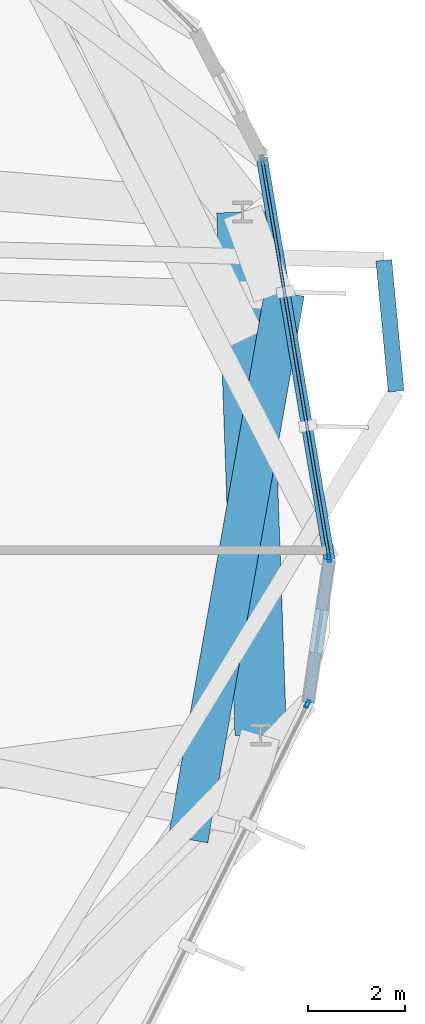
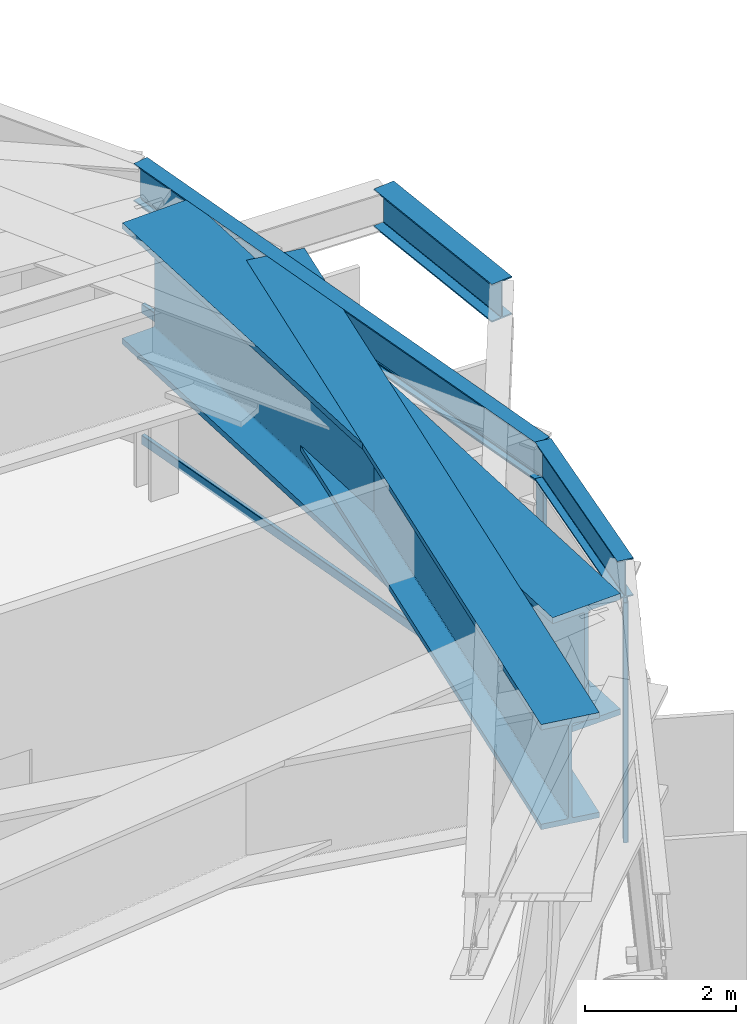
# One storey, part 14 of 27: 5 beams, 5 members, 2 elements without a shape of their own.
"""IFC4 building model written with IfcOpenShell, lengths in metres."""

import ifcopenshell
import ifcopenshell.guid

model = None  # the IFC model being written
_history = None  # IfcOwnerHistory: only IFC2X3 demands one
_inside = {}  # id of a spatial element -> (the spatial element, [elements in it])
_under = {}  # id of a project, library or spatial element -> (it, [spatial elements below it])
_declared = {}  # id of a project -> (the project, [libraries it declares])
_typed = {}  # id of a type object -> (the type object, [elements of that type])
_made_of = {}  # id of a material, layer set ... -> (it, [elements and type objects made of it])


def new_model(schema):
    """Start an empty IFC model of exactly this schema.

    Asked for "IFC4X3", IfcOpenShell would pick the latest addendum, in which some entities
    have other attributes; the version numbers below select the first issue.
    IFC2X3 requires an IfcOwnerHistory on every rooted entity: one is made here for all.
    """
    global model, _history
    if schema == "IFC4X3":
        model = ifcopenshell.file(schema_version=(4, 3, 0, 0))
    else:
        model = ifcopenshell.file(schema=schema)
    _inside.clear()
    _under.clear()
    _declared.clear()
    _typed.clear()
    _made_of.clear()
    _history = None
    if model.schema == "IFC2X3":
        org = make("IfcOrganization", Name="unknown")
        user = make(
            "IfcPersonAndOrganization",
            ThePerson=make("IfcPerson", FamilyName="unknown"),
            TheOrganization=org,
        )
        app = make(
            "IfcApplication",
            ApplicationDeveloper=org,
            Version="unknown",
            ApplicationFullName="unknown",
            ApplicationIdentifier="unknown",
        )
        _history = make(
            "IfcOwnerHistory",
            OwningUser=user,
            OwningApplication=app,
            ChangeAction="ADDED",
            CreationDate=0,
        )
    return model


def make(cls, **values):
    """One entity of the class cls with the attributes given. An attribute that is None is left unset."""
    return model.create_entity(
        cls, **{name: value for name, value in values.items() if value is not None}
    )


def rooted(cls, **values):
    """An entity with a GlobalId (a new one), such as an element, a storey or a relation."""
    return make(cls, GlobalId=ifcopenshell.guid.new(), OwnerHistory=_history, **values)


def si_unit(unit_type, name, prefix=None):
    """IfcSIUnit, for example si_unit("LENGTHUNIT", "METRE", prefix="MILLI")."""
    return make("IfcSIUnit", UnitType=unit_type, Prefix=prefix, Name=name)


def assignment(units):
    """IfcUnitAssignment: the units of a project."""
    return None if units is None else make("IfcUnitAssignment", Units=units)


def point(xyz):
    """IfcCartesianPoint."""
    return None if xyz is None else make("IfcCartesianPoint", Coordinates=xyz)


def direction(xyz):
    """IfcDirection."""
    return None if xyz is None else make("IfcDirection", DirectionRatios=xyz)


def frame(location, z_axis=None, x_axis=None):
    """IfcAxis2Placement3D, a coordinate frame: its origin and axes. An axis left out is left unset."""
    return make(
        "IfcAxis2Placement3D",
        Location=point(location),
        Axis=direction(z_axis),
        RefDirection=direction(x_axis),
    )


def frame_2d(location, x_axis=None):
    """IfcAxis2Placement2D, a coordinate frame in the plane: its origin and x axis."""
    return make(
        "IfcAxis2Placement2D", Location=point(location), RefDirection=direction(x_axis)
    )


def origin():
    """The frame at (0, 0, 0) with its axes left unset."""
    return frame((0.0, 0.0, 0.0))


def origin_2d():
    """The frame at (0, 0) in the plane with its x axis left unset."""
    return frame_2d((0.0, 0.0))


def place(relative_to, where):
    """IfcLocalPlacement: puts the frame where relative to a parent placement (None: the world)."""
    return make(
        "IfcLocalPlacement", PlacementRelTo=relative_to, RelativePlacement=where
    )


def context(
    kind, dimensions, precision=None, world=None, true_north=None, identifier=None
):
    """IfcGeometricRepresentationContext, for example the 3D "Model" context."""
    return make(
        "IfcGeometricRepresentationContext",
        ContextIdentifier=identifier,
        ContextType=kind,
        CoordinateSpaceDimension=dimensions,
        Precision=precision,
        WorldCoordinateSystem=world,
        TrueNorth=true_north,
    )


def subcontext(parent, identifier, kind, view, scale=None):
    """IfcGeometricRepresentationSubContext, for example "Body" below "Model"."""
    return make(
        "IfcGeometricRepresentationSubContext",
        ContextIdentifier=identifier,
        ContextType=kind,
        ParentContext=parent,
        TargetScale=scale,
        TargetView=view,
    )


def project(units=None, contexts=None):
    """IfcProject with its units and contexts."""
    return rooted(
        "IfcProject",
        Name="project",
        RepresentationContexts=contexts,
        UnitsInContext=assignment(units),
    )


def spatial(cls, under=None, at=None, **own):
    """A site, building, storey or space (cls), placed at a placement, below another one or the project."""
    s = rooted(cls, ObjectPlacement=at, **own)
    if under is not None:
        _under.setdefault(under.id(), (under, []))[1].append(s)
    return s


def profile(cls, at=None, kind="AREA", **sizes):
    """A parametric profile (cls). Its sizes go by their IFC names, for example OverallWidth=200.0."""
    return make(cls, ProfileType=kind, Position=at, **sizes)


def hollow_rectangle(**sizes):
    """IfcRectangleHollowProfileDef."""
    return profile("IfcRectangleHollowProfileDef", **sizes)


def i_section(**sizes):
    """IfcIShapeProfileDef."""
    return profile("IfcIShapeProfileDef", **sizes)


def extrude(swept, where, along, depth):
    """IfcExtrudedAreaSolid: the profile swept, set in the frame where, extruded along a direction by depth."""
    return make(
        "IfcExtrudedAreaSolid",
        SweptArea=swept,
        Position=where,
        ExtrudedDirection=direction(along),
        Depth=depth,
    )


def shape(context_of_items, identifier, shape_type, items):
    """IfcShapeRepresentation: the items that make up one representation, for example the "Body"."""
    return make(
        "IfcShapeRepresentation",
        ContextOfItems=context_of_items,
        RepresentationIdentifier=identifier,
        RepresentationType=shape_type,
        Items=items,
    )


def material(Name=None, Category=None):
    """IfcMaterial."""
    return make("IfcMaterial", Name=Name, Category=Category)


def layer(
    of_material, thickness, ventilated=None, Name=None, Category=None, Priority=None
):
    """IfcMaterialLayer: one layer of a wall or slab, of a material (None: an air gap)."""
    return make(
        "IfcMaterialLayer",
        Material=of_material,
        LayerThickness=thickness,
        IsVentilated=ventilated,
        Name=Name,
        Category=Category,
        Priority=Priority,
    )


def layer_set(layers, Name=None):
    """IfcMaterialLayerSet."""
    return make("IfcMaterialLayerSet", MaterialLayers=layers, LayerSetName=Name)


def material_profile(
    of_material, cross_section, Name=None, Category=None, Priority=None
):
    """IfcMaterialProfile: a cross section and its material."""
    return make(
        "IfcMaterialProfile",
        Name=Name,
        Material=of_material,
        Profile=cross_section,
        Priority=Priority,
        Category=Category,
    )


def profile_set(profiles, Name=None, composite=None):
    """IfcMaterialProfileSet."""
    return make(
        "IfcMaterialProfileSet",
        Name=Name,
        MaterialProfiles=profiles,
        CompositeProfile=composite,
    )


def made_of(thing, what):
    """Note that an element or type object is made of a material, layer set ...; save() writes the relation."""
    if what is not None:
        _made_of.setdefault(what.id(), (what, []))[1].append(thing)
    return thing


def type_object(cls, material=None, **own):
    """A type object (cls), such as IfcWallType, which elements share."""
    return made_of(rooted(cls, **own), material)


def element(
    cls,
    number,
    at=None,
    inside=None,
    cuts=None,
    type_object=None,
    material=None,
    context=None,
    identifier="Body",
    shape_type=None,
    held_by="IfcProductDefinitionShape",
    body=None,
    shapes=None,
    **own,
):
    """One element of the class cls, such as IfcWall. Its Tag is "e" and its number.

    at: its placement. inside: the storey or other place that contains it. cuts: it is an
    opening in that element (IfcRelVoidsElement). A single representation is given by context,
    identifier, shape_type and body (its items); several are given by shapes. held_by: the class
    of the entity that holds the representations. save() writes the other relations.
    """
    e = rooted(cls, Tag="e%d" % number, ObjectPlacement=at, **own)
    if body is not None:
        shapes = [shape(context, identifier, shape_type, body)]
    if shapes is not None:
        e.Representation = make(held_by, Representations=shapes)
    if inside is not None:
        _inside.setdefault(inside.id(), (inside, []))[1].append(e)
    if cuts is not None:
        rooted(
            "IfcRelVoidsElement", RelatingBuildingElement=cuts, RelatedOpeningElement=e
        )
    if type_object is not None:
        _typed.setdefault(type_object.id(), (type_object, []))[1].append(e)
    return made_of(e, material)


def aggregate(whole, parts):
    """IfcRelAggregates: a whole, such as a stair, and the parts it consists of."""
    return rooted("IfcRelAggregates", RelatingObject=whole, RelatedObjects=parts)


def save(model, path):
    """Write the relations noted so far, then the file.

    IfcRelAggregates (storeys below a building ...), IfcRelContainedInSpatialStructure (elements
    in a storey), IfcRelDefinesByType, IfcRelAssociatesMaterial and IfcRelDeclares: one each for
    every whole, place, type object, material and project.
    """
    for whole, parts in _under.values():
        aggregate(whole, parts)
    for where, things in _inside.values():
        rooted(
            "IfcRelContainedInSpatialStructure",
            RelatedElements=things,
            RelatingStructure=where,
        )
    for kind, things in _typed.values():
        rooted("IfcRelDefinesByType", RelatedObjects=things, RelatingType=kind)
    for what, things in _made_of.values():
        rooted("IfcRelAssociatesMaterial", RelatedObjects=things, RelatingMaterial=what)
    for by, libraries in _declared.values():
        rooted("IfcRelDeclares", RelatingContext=by, RelatedDefinitions=libraries)
    model.write(path)


model = new_model("IFC4")

# Units and contexts
model_context = context("Model", 3, precision=1e-05, world=origin(), true_north=direction((0.0, 1.0)))
body_context = subcontext(model_context, "Body", "Model", "MODEL_VIEW")
ifc_project = project(units=[si_unit("LENGTHUNIT", "METRE"), si_unit("AREAUNIT", "SQUARE_METRE"), si_unit("VOLUMEUNIT", "CUBIC_METRE"), si_unit("PLANEANGLEUNIT", "RADIAN"), si_unit("MASSUNIT", "GRAM", prefix="KILO")], contexts=[model_context])

# Site, building, storey
site_placement = place(None, origin())
site = spatial("IfcSite", under=ifc_project, at=site_placement, CompositionType="ELEMENT")
building_placement = place(site_placement, origin())
building = spatial("IfcBuilding", under=site, at=building_placement, Name="Soratama Intermodal Tower", CompositionType="ELEMENT")
storey_placement = place(building_placement, frame((0.0, 0.0, 134.199951171875)))
storey = spatial("IfcBuildingStorey", under=building, at=storey_placement, Name="L32", CompositionType="ELEMENT", Elevation=134.199951171875)

# Beams
ifc_material_1 = material(Name="Structural steel ASTM A992 Grade 50", Category="steel")
ifc_material_profile_1 = material_profile(ifc_material_1, i_section(OverallWidth=0.324951171875, OverallDepth=0.615966796875, WebThickness=0.013916015625, FlangeThickness=0.021484375, FilletRadius=0.013916015625, at=origin_2d()), Name="W24X117")
ifc_profile_set_1 = profile_set([ifc_material_profile_1], Name="Structural steel ASTM A992 Grade 50")
beam_type_1 = type_object("IfcBeamType", Name="BM-CANT-W24X117", PredefinedType="BEAM", material=ifc_profile_set_1)
beam_1_placement = place(storey_placement, frame((64.510009765625, 27.26806640625, 4.192138671875), z_axis=(-0.093581351422, 0.995611636466, 0.0), x_axis=(-0.995611636466, -0.093581351422, 0.0)))
element("IfcBeam", 1, at=beam_1_placement, inside=storey, type_object=beam_type_1, Name="BM-L32-CBHDR-1", PredefinedType="BEAM", context=body_context, shape_type="SweptSolid", body=[
    extrude(i_section(OverallWidth=0.324951171875, OverallDepth=0.615966796875, WebThickness=0.013916015625, FlangeThickness=0.021484375, FilletRadius=0.013916015625, at=origin_2d()), origin(), (0.0, 0.0, 1.0), 2.702880859375),
])
ifc_material_2 = material(Name="Structural steel ASTM A992 Grade 50", Category="steel")
ifc_material_profile_2 = material_profile(ifc_material_2, i_section(OverallWidth=0.22900390625, OverallDepth=0.612060546875, WebThickness=0.011962890625, FlangeThickness=0.01953125, FilletRadius=0.012939453125, at=origin_2d()), Name="W24X84")
ifc_profile_set_2 = profile_set([ifc_material_profile_2], Name="Structural steel ASTM A992 Grade 50")
beam_type_2 = type_object("IfcBeamType", Name="BM-SPN-W24X84", PredefinedType="SPANDREL", material=ifc_profile_set_2)
beam_2_placement = place(storey_placement, frame((62.702880859375, 20.866943359375, 4.194091796875), z_axis=(0.146948221245, 0.989144185785, 0.0), x_axis=(-0.989144185785, 0.146948221245, 0.0)))
element("IfcBeam", 2, at=beam_2_placement, inside=storey, type_object=beam_type_2, Name="BS-L32-CRN09", PredefinedType="SPANDREL", context=body_context, shape_type="SweptSolid", body=[
    extrude(i_section(OverallWidth=0.22900390625, OverallDepth=0.612060546875, WebThickness=0.011962890625, FlangeThickness=0.01953125, FilletRadius=0.012939453125, at=origin_2d()), origin(), (0.0, 0.0, 1.0), 2.96728515625),
])
beam_3_placement = place(storey_placement, frame((63.138916015625, 23.802001953125, 4.194091796875), z_axis=(-0.165708153136, 0.986174836418, 0.0), x_axis=(-0.986174836418, -0.165708153136, 0.0)))
element("IfcBeam", 3, at=beam_3_placement, inside=storey, type_object=beam_type_2, Name="BS-L32-F10", PredefinedType="SPANDREL", context=body_context, shape_type="SweptSolid", body=[
    extrude(i_section(OverallWidth=0.22900390625, OverallDepth=0.612060546875, WebThickness=0.011962890625, FlangeThickness=0.01953125, FilletRadius=0.012939453125, at=origin_2d()), origin(), (0.0, 0.0, 1.0), 8.375732421875),
])
ifc_material_3 = material(Name="Structural steel ASTM A992 Grade 50", Category="steel")
ifc_material_profile_3 = material_profile(ifc_material_3, i_section(OverallWidth=0.820068359375, OverallDepth=1.699951171875, WebThickness=0.053955078125, FlangeThickness=0.087890625, FilletRadius=0.02392578125, at=origin_2d()), Name="PG1580X800")
ifc_profile_set_3 = profile_set([ifc_material_profile_3], Name="Structural steel ASTM A992 Grade 50")
beam_type_3 = type_object("IfcBeamType", Name="BM-ZSTEP-PG1580", PredefinedType="BEAM", material=ifc_profile_set_3)
beam_4_placement = place(storey_placement, frame((60.235107421875, 18.054931640625, 3.650146484375), z_axis=(0.173596153217, 0.98481692491, 0.0), x_axis=(-0.98481692491, 0.173596153217, 0.0)))
element("IfcBeam", 4, at=beam_4_placement, inside=storey, type_object=beam_type_3, Name="BM-L32-ZCHORD-01", PredefinedType="BEAM", context=body_context, shape_type="SweptSolid", body=[
    extrude(i_section(OverallWidth=0.820068359375, OverallDepth=1.699951171875, WebThickness=0.053955078125, FlangeThickness=0.087890625, FilletRadius=0.02392578125, at=origin_2d()), origin(), (0.0, 0.0, 1.0), 11.411376953125),
])
ifc_material_4 = material(Name="Structural steel ASTM A992 Grade 50", Category="steel")
ifc_material_profile_4 = material_profile(ifc_material_4, i_section(OverallWidth=1.06005859375, OverallDepth=1.9599609375, WebThickness=0.05810546875, FlangeThickness=0.095947265625, FilletRadius=0.02392578125, at=origin_2d()), Name="PG2400X900")
ifc_profile_set_4 = profile_set([ifc_material_profile_4], Name="Structural steel ASTM A992 Grade 50")
beam_type_4 = type_object("IfcBeamType", Name="BM-ZSTEP-PG2400", PredefinedType="BEAM", material=ifc_profile_set_4)
beam_5_placement = place(storey_placement, frame((61.72607421875, 20.2041015625, 3.52001953125), z_axis=(-0.034872799059, 0.999391758964, 0.0), x_axis=(-0.999391758964, -0.034872799059, 0.0)))
element("IfcBeam", 5, at=beam_5_placement, inside=storey, type_object=beam_type_4, Name="BM-L32-RING-10", PredefinedType="BEAM", context=body_context, shape_type="SweptSolid", body=[
    extrude(i_section(OverallWidth=1.06005859375, OverallDepth=1.9599609375, WebThickness=0.05810546875, FlangeThickness=0.095947265625, FilletRadius=0.02392578125, at=origin_2d()), origin(), (0.0, 0.0, 1.0), 10.75341796875),
])

# Curtain wall, member
ifc_material_5 = material(Name="Double-glazed aluminium curtain wall", Category="aluminium")
ifc_layer = layer(ifc_material_5, 0.159912109375)
ifc_layer_set = layer_set([ifc_layer], Name="Double-glazed aluminium curtain wall")
curtain_wall_type = type_object("IfcCurtainWallType", Name="CW-SYS-3", PredefinedType="NOTDEFINED", material=ifc_layer_set)
curtain_wall_1_placement = place(storey_placement, origin())
curtain_wall_1 = element("IfcCurtainWall", 6, at=curtain_wall_1_placement, inside=storey, type_object=curtain_wall_type, Name="L32 Faceted Curtain Wall F09", PredefinedType="NOTDEFINED")
ifc_material_6 = material(Name="Anodised aluminium AA 6063-T6", Category="aluminium")
ifc_material_profile_5 = material_profile(ifc_material_6, hollow_rectangle(XDim=0.070068359375, YDim=0.159912109375, WallThickness=0.0048828125, InnerFilletRadius=0.0048828125, OuterFilletRadius=0.010009765625, at=origin_2d()), Name="CWM160X70X5")
ifc_profile_set_5 = profile_set([ifc_material_profile_5], Name="Anodised aluminium AA 6063-T6")
member_type_1 = type_object("IfcMemberType", Name="MT-CWM-3", PredefinedType="MULLION", material=ifc_profile_set_5)
member_1_placement = place(storey_placement, frame((62.689453125, 20.840576171875, 0.0), z_axis=(0.0, 0.0, 1.0), x_axis=(-0.895247053814, 0.445570098456, 0.0)))
member_1 = element("IfcMember", 7, at=member_1_placement, type_object=member_type_1, Name="CW-3 mullion 2", PredefinedType="MULLION", context=body_context, shape_type="SweptSolid", body=[
    extrude(hollow_rectangle(XDim=0.070068359375, YDim=0.159912109375, WallThickness=0.0048828125, InnerFilletRadius=0.0048828125, OuterFilletRadius=0.010009765625, at=origin_2d()), origin(), (0.0, 0.0, 1.0), 3.879150390625),
])
aggregate(curtain_wall_1, [member_1])

# Curtain wall, members
curtain_wall_2_placement = place(storey_placement, origin())
curtain_wall_2 = element("IfcCurtainWall", 8, at=curtain_wall_2_placement, inside=storey, type_object=curtain_wall_type, Name="L32 Faceted Curtain Wall F10", PredefinedType="NOTDEFINED")
member_2_placement = place(storey_placement, frame((63.134033203125, 23.831298828125, 0.0), z_axis=(0.0, 0.0, 1.0), x_axis=(-0.986171032262, -0.165730791125, 0.0)))
member_2 = element("IfcMember", 9, at=member_2_placement, type_object=member_type_1, Name="CW-3 mullion 1", PredefinedType="MULLION", context=body_context, shape_type="SweptSolid", body=[
    extrude(hollow_rectangle(XDim=0.070068359375, YDim=0.159912109375, WallThickness=0.0048828125, InnerFilletRadius=0.0048828125, OuterFilletRadius=0.010009765625, at=origin_2d()), origin(), (0.0, 0.0, 1.0), 3.879150390625),
])
ifc_material_7 = material(Name="Anodised aluminium AA 6063-T6", Category="aluminium")
ifc_material_profile_6 = material_profile(ifc_material_7, hollow_rectangle(XDim=0.06494140625, YDim=0.14990234375, WallThickness=0.0048828125, InnerFilletRadius=0.0048828125, OuterFilletRadius=0.010009765625, at=origin_2d()), Name="CWT150X65X5")
ifc_profile_set_6 = profile_set([ifc_material_profile_6], Name="Anodised aluminium AA 6063-T6")
member_type_2 = type_object("IfcMemberType", Name="TT-CWT-1", PredefinedType="USERDEFINED", material=ifc_profile_set_6)
member_3_placement = place(storey_placement, frame((63.129150390625, 23.86083984375, 0.030029296875), z_axis=(-0.165741486099, 0.986169234861, 0.0), x_axis=(-0.986169234861, -0.165741486099, 0.0)))
member_3 = element("IfcMember", 10, at=member_3_placement, type_object=member_type_2, Name="CW-3 transom 1.1", ObjectType="TRANSOM", PredefinedType="USERDEFINED", context=body_context, shape_type="SweptSolid", body=[
    extrude(hollow_rectangle(XDim=0.06494140625, YDim=0.14990234375, WallThickness=0.0048828125, InnerFilletRadius=0.0048828125, OuterFilletRadius=0.010009765625, at=origin_2d()), origin(), (0.0, 0.0, 1.0), 8.25634765625),
])
member_4_placement = place(storey_placement, frame((63.129150390625, 23.86083984375, 2.150146484375), z_axis=(-0.165741486099, 0.986169234861, 0.0), x_axis=(-0.986169234861, -0.165741486099, 0.0)))
member_4 = element("IfcMember", 11, at=member_4_placement, type_object=member_type_2, Name="CW-3 transom 1.2", ObjectType="TRANSOM", PredefinedType="USERDEFINED", context=body_context, shape_type="SweptSolid", body=[
    extrude(hollow_rectangle(XDim=0.06494140625, YDim=0.14990234375, WallThickness=0.0048828125, InnerFilletRadius=0.0048828125, OuterFilletRadius=0.010009765625, at=origin_2d()), origin(), (0.0, 0.0, 1.0), 8.25634765625),
])
member_5_placement = place(storey_placement, frame((63.129150390625, 23.86083984375, 3.84912109375), z_axis=(-0.165741486099, 0.986169234861, 0.0), x_axis=(-0.986169234861, -0.165741486099, 0.0)))
member_5 = element("IfcMember", 12, at=member_5_placement, type_object=member_type_2, Name="CW-3 transom 1.3", ObjectType="TRANSOM", PredefinedType="USERDEFINED", context=body_context, shape_type="SweptSolid", body=[
    extrude(hollow_rectangle(XDim=0.06494140625, YDim=0.14990234375, WallThickness=0.0048828125, InnerFilletRadius=0.0048828125, OuterFilletRadius=0.010009765625, at=origin_2d()), origin(), (0.0, 0.0, 1.0), 8.25634765625),
])
aggregate(curtain_wall_2, [member_2, member_3, member_4, member_5])

save(model, "model.ifc")
